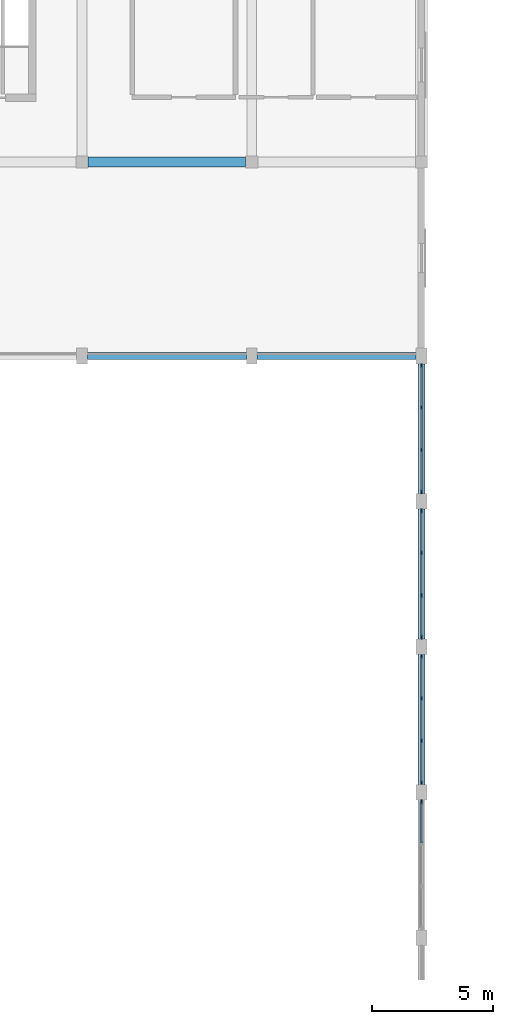
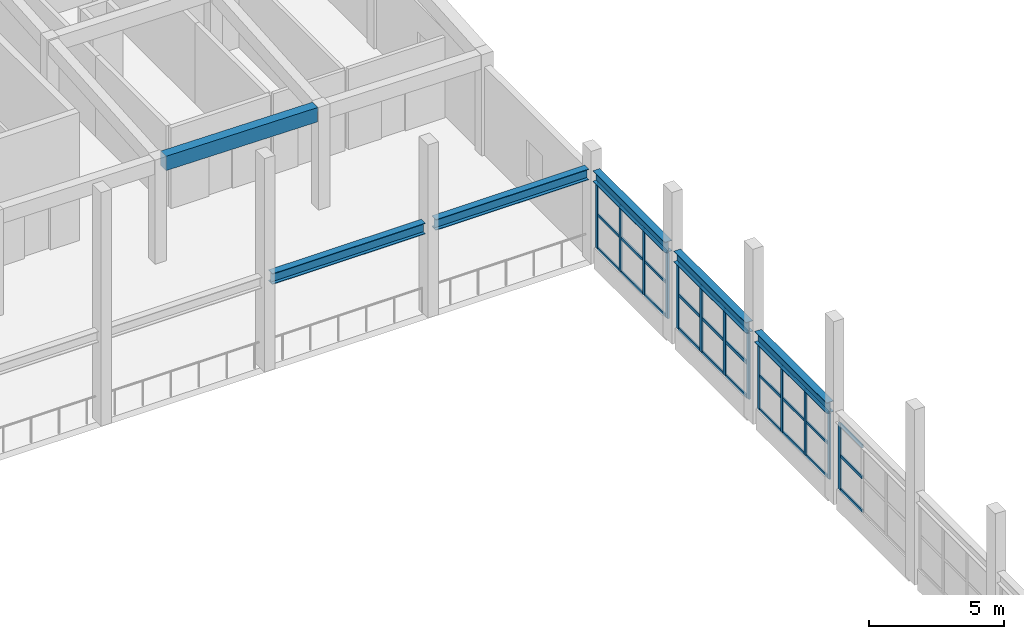
# One storey, part 32 of 89: 43 members, 6 beams, 4 elements without a shape of their own.
"""IFC4 building model written with IfcOpenShell, lengths in metres."""

from ifc_helpers import new_model, si_unit, direction, frame, origin, origin_2d, place, context, subcontext, project, spatial, rectangle, i_section, extrude, material, layer, layer_set, material_profile, profile_set, type_object, element, aggregate, save


model = new_model("IFC4")

# Units and contexts
model_context = context("Model", 3, precision=1e-05, world=origin(), true_north=direction((0.0, 1.0)))
body_context = subcontext(model_context, "Body", "Model", "MODEL_VIEW")
ifc_project = project(units=[si_unit("LENGTHUNIT", "METRE"), si_unit("AREAUNIT", "SQUARE_METRE"), si_unit("VOLUMEUNIT", "CUBIC_METRE"), si_unit("PLANEANGLEUNIT", "RADIAN"), si_unit("MASSUNIT", "GRAM", prefix="KILO")], contexts=[model_context])

# Site, building, storey
site_placement = place(None, origin())
site = spatial("IfcSite", under=ifc_project, at=site_placement, CompositionType="ELEMENT")
building_placement = place(site_placement, origin())
building = spatial("IfcBuilding", under=site, at=building_placement, Name="Tonlespit Floodbar School", CompositionType="ELEMENT")
storey_placement = place(building_placement, frame((0.0, 0.0, 4.5)))
storey = spatial("IfcBuildingStorey", under=building, at=storey_placement, Name="L01", CompositionType="ELEMENT", Elevation=4.5)

# Beam
ifc_material_1 = material(Name="Concrete C40/50", Category="concrete")
ifc_material_profile_1 = material_profile(ifc_material_1, rectangle(XDim=0.39990234375, YDim=0.64990234375, at=origin_2d()), Name="RC 400x650")
ifc_profile_set_1 = profile_set([ifc_material_profile_1], Name="Concrete C40/50")
beam_type_1 = type_object("IfcBeamType", Name="Beam_RC_400x650", PredefinedType="BEAM", material=ifc_profile_set_1)
beam_placement = place(storey_placement, frame((162.25, 64.0, 4.364501953125), z_axis=(0.999955563291, 0.0, -0.009427165204), x_axis=(0.0, 1.0, 0.0)))
element("IfcBeam", 1, at=beam_placement, inside=storey, type_object=beam_type_1, Name="L01 girder 0583", PredefinedType="BEAM", context=body_context, shape_type="SweptSolid", body=[
    extrude(rectangle(XDim=0.39990234375, YDim=0.64990234375, at=origin_2d()), origin(), (0.0, 0.0, 1.0), 6.500244140625),
])

# Curtain wall, members
ifc_material_2 = material(Name="Anodised Aluminium", Category="aluminium")
ifc_layer = layer(ifc_material_2, 0.159912109375)
ifc_layer_set = layer_set([ifc_layer], Name="Anodised Aluminium")
curtain_wall_type = type_object("IfcCurtainWallType", Name="CurtainWall_5250x3000", PredefinedType="NOTDEFINED", material=ifc_layer_set)
curtain_wall_1_placement = place(storey_placement, origin())
curtain_wall_1 = element("IfcCurtainWall", 2, at=curtain_wall_1_placement, inside=storey, type_object=curtain_wall_type, Name="L01 unitised curtain wall 0324", PredefinedType="NOTDEFINED")
ifc_material_profile_2 = material_profile(ifc_material_2, rectangle(XDim=0.06494140625, YDim=0.14990234375, at=origin_2d()), Name="ALU M65x150")
ifc_profile_set_2 = profile_set([ifc_material_profile_2], Name="Anodised Aluminium")
member_type_1 = type_object("IfcMemberType", Name="CW_Mullion_65x150", PredefinedType="MULLION", material=ifc_profile_set_2)
member_1_placement = place(storey_placement, frame((176.0, 55.6025390625, 0.68994140625), z_axis=(0.0, 0.0, 1.0), x_axis=(1.0, 0.0, 0.0)))
member_1 = element("IfcMember", 3, at=member_1_placement, type_object=member_type_1, Name="CW-50 mullion 1", PredefinedType="MULLION", context=body_context, shape_type="SweptSolid", body=[
    extrude(rectangle(XDim=0.06494140625, YDim=0.14990234375, at=origin_2d()), origin(), (0.0, 0.0, 1.0), 2.989990234375),
])
member_2_placement = place(storey_placement, frame((176.0, 53.87841796875, 0.68994140625), z_axis=(0.0, 0.0, 1.0), x_axis=(1.0, 0.0, 0.0)))
member_2 = element("IfcMember", 4, at=member_2_placement, type_object=member_type_1, Name="CW-50 mullion 2", PredefinedType="MULLION", context=body_context, shape_type="SweptSolid", body=[
    extrude(rectangle(XDim=0.06494140625, YDim=0.14990234375, at=origin_2d()), origin(), (0.0, 0.0, 1.0), 2.989990234375),
])
member_3_placement = place(storey_placement, frame((176.0, 52.12158203125, 0.68994140625), z_axis=(0.0, 0.0, 1.0), x_axis=(1.0, 0.0, 0.0)))
member_3 = element("IfcMember", 5, at=member_3_placement, type_object=member_type_1, Name="CW-50 mullion 3", PredefinedType="MULLION", context=body_context, shape_type="SweptSolid", body=[
    extrude(rectangle(XDim=0.06494140625, YDim=0.14990234375, at=origin_2d()), origin(), (0.0, 0.0, 1.0), 2.989990234375),
])
member_4_placement = place(storey_placement, frame((176.0, 50.3974609375, 0.68994140625), z_axis=(0.0, 0.0, 1.0), x_axis=(1.0, 0.0, 0.0)))
member_4 = element("IfcMember", 6, at=member_4_placement, type_object=member_type_1, Name="CW-50 mullion 4", PredefinedType="MULLION", context=body_context, shape_type="SweptSolid", body=[
    extrude(rectangle(XDim=0.06494140625, YDim=0.14990234375, at=origin_2d()), origin(), (0.0, 0.0, 1.0), 2.989990234375),
])

curtain_wall_2_placement = place(storey_placement, origin())
curtain_wall_2 = element("IfcCurtainWall", 7, at=curtain_wall_2_placement, inside=storey, type_object=curtain_wall_type, Name="L01 unitised curtain wall 0326", PredefinedType="NOTDEFINED")
member_5_placement = place(storey_placement, frame((176.0, 43.6025390625, 0.68994140625), z_axis=(0.0, 0.0, 1.0), x_axis=(1.0, 0.0, 0.0)))
member_5 = element("IfcMember", 8, at=member_5_placement, type_object=member_type_1, Name="CW-50 mullion 1", PredefinedType="MULLION", context=body_context, shape_type="SweptSolid", body=[
    extrude(rectangle(XDim=0.06494140625, YDim=0.14990234375, at=origin_2d()), origin(), (0.0, 0.0, 1.0), 2.989990234375),
])
member_6_placement = place(storey_placement, frame((176.0, 41.87841796875, 0.68994140625), z_axis=(0.0, 0.0, 1.0), x_axis=(1.0, 0.0, 0.0)))
member_6 = element("IfcMember", 9, at=member_6_placement, type_object=member_type_1, Name="CW-50 mullion 2", PredefinedType="MULLION", context=body_context, shape_type="SweptSolid", body=[
    extrude(rectangle(XDim=0.06494140625, YDim=0.14990234375, at=origin_2d()), origin(), (0.0, 0.0, 1.0), 2.989990234375),
])
member_7_placement = place(storey_placement, frame((176.0, 40.12158203125, 0.68994140625), z_axis=(0.0, 0.0, 1.0), x_axis=(1.0, 0.0, 0.0)))
member_7 = element("IfcMember", 10, at=member_7_placement, type_object=member_type_1, Name="CW-50 mullion 3", PredefinedType="MULLION", context=body_context, shape_type="SweptSolid", body=[
    extrude(rectangle(XDim=0.06494140625, YDim=0.14990234375, at=origin_2d()), origin(), (0.0, 0.0, 1.0), 2.989990234375),
])
member_8_placement = place(storey_placement, frame((176.0, 38.3974609375, 0.68994140625), z_axis=(0.0, 0.0, 1.0), x_axis=(1.0, 0.0, 0.0)))
member_8 = element("IfcMember", 11, at=member_8_placement, type_object=member_type_1, Name="CW-50 mullion 4", PredefinedType="MULLION", context=body_context, shape_type="SweptSolid", body=[
    extrude(rectangle(XDim=0.06494140625, YDim=0.14990234375, at=origin_2d()), origin(), (0.0, 0.0, 1.0), 2.989990234375),
])

curtain_wall_3_placement = place(storey_placement, origin())
curtain_wall_3 = element("IfcCurtainWall", 12, at=curtain_wall_3_placement, inside=storey, type_object=curtain_wall_type, Name="L01 unitised curtain wall 0325", PredefinedType="NOTDEFINED")
ifc_material_profile_3 = material_profile(ifc_material_2, rectangle(XDim=0.06494140625, YDim=0.179931640625, at=origin_2d()), Name="ALU M65x180")
ifc_profile_set_3 = profile_set([ifc_material_profile_3], Name="Anodised Aluminium")
member_type_2 = type_object("IfcMemberType", Name="CW_Mullion_65x180", PredefinedType="MULLION", material=ifc_profile_set_3)
member_9_placement = place(storey_placement, frame((176.0, 49.6025390625, 0.68994140625), z_axis=(0.0, 0.0, 1.0), x_axis=(1.0, 0.0, 0.0)))
member_9 = element("IfcMember", 13, at=member_9_placement, type_object=member_type_2, Name="CW-50 mullion 1", PredefinedType="MULLION", context=body_context, shape_type="SweptSolid", body=[
    extrude(rectangle(XDim=0.06494140625, YDim=0.179931640625, at=origin_2d()), origin(), (0.0, 0.0, 1.0), 2.989990234375),
])
member_10_placement = place(storey_placement, frame((176.0, 47.87841796875, 0.68994140625), z_axis=(0.0, 0.0, 1.0), x_axis=(1.0, 0.0, 0.0)))
member_10 = element("IfcMember", 14, at=member_10_placement, type_object=member_type_2, Name="CW-50 mullion 2", PredefinedType="MULLION", context=body_context, shape_type="SweptSolid", body=[
    extrude(rectangle(XDim=0.06494140625, YDim=0.179931640625, at=origin_2d()), origin(), (0.0, 0.0, 1.0), 2.989990234375),
])
member_11_placement = place(storey_placement, frame((176.0, 46.12158203125, 0.68994140625), z_axis=(0.0, 0.0, 1.0), x_axis=(1.0, 0.0, 0.0)))
member_11 = element("IfcMember", 15, at=member_11_placement, type_object=member_type_2, Name="CW-50 mullion 3", PredefinedType="MULLION", context=body_context, shape_type="SweptSolid", body=[
    extrude(rectangle(XDim=0.06494140625, YDim=0.179931640625, at=origin_2d()), origin(), (0.0, 0.0, 1.0), 2.989990234375),
])
member_12_placement = place(storey_placement, frame((176.0, 44.3974609375, 0.68994140625), z_axis=(0.0, 0.0, 1.0), x_axis=(1.0, 0.0, 0.0)))
member_12 = element("IfcMember", 16, at=member_12_placement, type_object=member_type_2, Name="CW-50 mullion 4", PredefinedType="MULLION", context=body_context, shape_type="SweptSolid", body=[
    extrude(rectangle(XDim=0.06494140625, YDim=0.179931640625, at=origin_2d()), origin(), (0.0, 0.0, 1.0), 2.989990234375),
])

# Curtain wall, member
curtain_wall_4_placement = place(storey_placement, origin())
curtain_wall_4 = element("IfcCurtainWall", 17, at=curtain_wall_4_placement, inside=storey, type_object=curtain_wall_type, Name="L01 unitised curtain wall 0327", PredefinedType="NOTDEFINED")
member_13_placement = place(storey_placement, frame((176.0, 37.6025390625, 0.68994140625), z_axis=(0.0, 0.0, 1.0), x_axis=(1.0, 0.0, 0.0)))
member_13 = element("IfcMember", 18, at=member_13_placement, type_object=member_type_2, Name="CW-50 mullion 1", PredefinedType="MULLION", context=body_context, shape_type="SweptSolid", body=[
    extrude(rectangle(XDim=0.06494140625, YDim=0.179931640625, at=origin_2d()), origin(), (0.0, 0.0, 1.0), 2.989990234375),
])

# Member
ifc_material_profile_4 = material_profile(ifc_material_2, rectangle(XDim=0.06494140625, YDim=0.1201171875, at=origin_2d()), Name="ALU T65x120")
ifc_profile_set_4 = profile_set([ifc_material_profile_4], Name="Anodised Aluminium")
member_type_3 = type_object("IfcMemberType", Name="CW_Transom_65x120", PredefinedType="USERDEFINED", material=ifc_profile_set_4)
member_14_placement = place(storey_placement, frame((176.0, 55.570068359375, 0.722412109375), z_axis=(0.0, -1.0, 0.0), x_axis=(1.0, 0.0, 0.0)))
member_14 = element("IfcMember", 19, at=member_14_placement, type_object=member_type_3, Name="CW-50 transom 1.1", ObjectType="TRANSOM", PredefinedType="USERDEFINED", context=body_context, shape_type="SweptSolid", body=[
    extrude(rectangle(XDim=0.06494140625, YDim=0.1201171875, at=origin_2d()), origin(), (0.0, 0.0, 1.0), 1.6591796875),
])

member_15_placement = place(storey_placement, frame((176.0, 55.570068359375, 2.244873046875), z_axis=(0.0, -1.0, 0.0), x_axis=(1.0, 0.0, 0.0)))
member_15 = element("IfcMember", 20, at=member_15_placement, type_object=member_type_3, Name="CW-50 transom 1.2", ObjectType="TRANSOM", PredefinedType="USERDEFINED", context=body_context, shape_type="SweptSolid", body=[
    extrude(rectangle(XDim=0.06494140625, YDim=0.1201171875, at=origin_2d()), origin(), (0.0, 0.0, 1.0), 1.6591796875),
])

member_16_placement = place(storey_placement, frame((176.0, 55.570068359375, 3.6474609375), z_axis=(0.0, -1.0, 0.0), x_axis=(1.0, 0.0, 0.0)))
member_16 = element("IfcMember", 21, at=member_16_placement, type_object=member_type_3, Name="CW-50 transom 1.3", ObjectType="TRANSOM", PredefinedType="USERDEFINED", context=body_context, shape_type="SweptSolid", body=[
    extrude(rectangle(XDim=0.06494140625, YDim=0.1201171875, at=origin_2d()), origin(), (0.0, 0.0, 1.0), 1.6591796875),
])

member_17_placement = place(storey_placement, frame((176.0, 53.845947265625, 0.722412109375), z_axis=(0.0, -1.0, 0.0), x_axis=(1.0, 0.0, 0.0)))
member_17 = element("IfcMember", 22, at=member_17_placement, type_object=member_type_3, Name="CW-50 transom 2.1", ObjectType="TRANSOM", PredefinedType="USERDEFINED", context=body_context, shape_type="SweptSolid", body=[
    extrude(rectangle(XDim=0.06494140625, YDim=0.1201171875, at=origin_2d()), origin(), (0.0, 0.0, 1.0), 1.69189453125),
])

member_18_placement = place(storey_placement, frame((176.0, 53.845947265625, 2.244873046875), z_axis=(0.0, -1.0, 0.0), x_axis=(1.0, 0.0, 0.0)))
member_18 = element("IfcMember", 23, at=member_18_placement, type_object=member_type_3, Name="CW-50 transom 2.2", ObjectType="TRANSOM", PredefinedType="USERDEFINED", context=body_context, shape_type="SweptSolid", body=[
    extrude(rectangle(XDim=0.06494140625, YDim=0.1201171875, at=origin_2d()), origin(), (0.0, 0.0, 1.0), 1.69189453125),
])

member_19_placement = place(storey_placement, frame((176.0, 53.845947265625, 3.6474609375), z_axis=(0.0, -1.0, 0.0), x_axis=(1.0, 0.0, 0.0)))
member_19 = element("IfcMember", 24, at=member_19_placement, type_object=member_type_3, Name="CW-50 transom 2.3", ObjectType="TRANSOM", PredefinedType="USERDEFINED", context=body_context, shape_type="SweptSolid", body=[
    extrude(rectangle(XDim=0.06494140625, YDim=0.1201171875, at=origin_2d()), origin(), (0.0, 0.0, 1.0), 1.69189453125),
])

member_20_placement = place(storey_placement, frame((176.0, 52.089111328125, 0.722412109375), z_axis=(0.0, -1.0, 0.0), x_axis=(1.0, 0.0, 0.0)))
member_20 = element("IfcMember", 25, at=member_20_placement, type_object=member_type_3, Name="CW-50 transom 3.1", ObjectType="TRANSOM", PredefinedType="USERDEFINED", context=body_context, shape_type="SweptSolid", body=[
    extrude(rectangle(XDim=0.06494140625, YDim=0.1201171875, at=origin_2d()), origin(), (0.0, 0.0, 1.0), 1.6591796875),
])

member_21_placement = place(storey_placement, frame((176.0, 52.089111328125, 2.244873046875), z_axis=(0.0, -1.0, 0.0), x_axis=(1.0, 0.0, 0.0)))
member_21 = element("IfcMember", 26, at=member_21_placement, type_object=member_type_3, Name="CW-50 transom 3.2", ObjectType="TRANSOM", PredefinedType="USERDEFINED", context=body_context, shape_type="SweptSolid", body=[
    extrude(rectangle(XDim=0.06494140625, YDim=0.1201171875, at=origin_2d()), origin(), (0.0, 0.0, 1.0), 1.6591796875),
])

member_22_placement = place(storey_placement, frame((176.0, 52.089111328125, 3.6474609375), z_axis=(0.0, -1.0, 0.0), x_axis=(1.0, 0.0, 0.0)))
member_22 = element("IfcMember", 27, at=member_22_placement, type_object=member_type_3, Name="CW-50 transom 3.3", ObjectType="TRANSOM", PredefinedType="USERDEFINED", context=body_context, shape_type="SweptSolid", body=[
    extrude(rectangle(XDim=0.06494140625, YDim=0.1201171875, at=origin_2d()), origin(), (0.0, 0.0, 1.0), 1.6591796875),
])

aggregate(curtain_wall_1, [member_1, member_2, member_3, member_4, member_14, member_15, member_16, member_17, member_18, member_19, member_20, member_21, member_22])

member_23_placement = place(storey_placement, frame((176.0, 43.570068359375, 0.722412109375), z_axis=(0.0, -1.0, 0.0), x_axis=(1.0, 0.0, 0.0)))
member_23 = element("IfcMember", 28, at=member_23_placement, type_object=member_type_3, Name="CW-50 transom 1.1", ObjectType="TRANSOM", PredefinedType="USERDEFINED", context=body_context, shape_type="SweptSolid", body=[
    extrude(rectangle(XDim=0.06494140625, YDim=0.1201171875, at=origin_2d()), origin(), (0.0, 0.0, 1.0), 1.6591796875),
])

member_24_placement = place(storey_placement, frame((176.0, 43.570068359375, 2.244873046875), z_axis=(0.0, -1.0, 0.0), x_axis=(1.0, 0.0, 0.0)))
member_24 = element("IfcMember", 29, at=member_24_placement, type_object=member_type_3, Name="CW-50 transom 1.2", ObjectType="TRANSOM", PredefinedType="USERDEFINED", context=body_context, shape_type="SweptSolid", body=[
    extrude(rectangle(XDim=0.06494140625, YDim=0.1201171875, at=origin_2d()), origin(), (0.0, 0.0, 1.0), 1.6591796875),
])

member_25_placement = place(storey_placement, frame((176.0, 43.570068359375, 3.6474609375), z_axis=(0.0, -1.0, 0.0), x_axis=(1.0, 0.0, 0.0)))
member_25 = element("IfcMember", 30, at=member_25_placement, type_object=member_type_3, Name="CW-50 transom 1.3", ObjectType="TRANSOM", PredefinedType="USERDEFINED", context=body_context, shape_type="SweptSolid", body=[
    extrude(rectangle(XDim=0.06494140625, YDim=0.1201171875, at=origin_2d()), origin(), (0.0, 0.0, 1.0), 1.6591796875),
])

member_26_placement = place(storey_placement, frame((176.0, 41.845947265625, 0.722412109375), z_axis=(0.0, -1.0, 0.0), x_axis=(1.0, 0.0, 0.0)))
member_26 = element("IfcMember", 31, at=member_26_placement, type_object=member_type_3, Name="CW-50 transom 2.1", ObjectType="TRANSOM", PredefinedType="USERDEFINED", context=body_context, shape_type="SweptSolid", body=[
    extrude(rectangle(XDim=0.06494140625, YDim=0.1201171875, at=origin_2d()), origin(), (0.0, 0.0, 1.0), 1.69189453125),
])

member_27_placement = place(storey_placement, frame((176.0, 41.845947265625, 2.244873046875), z_axis=(0.0, -1.0, 0.0), x_axis=(1.0, 0.0, 0.0)))
member_27 = element("IfcMember", 32, at=member_27_placement, type_object=member_type_3, Name="CW-50 transom 2.2", ObjectType="TRANSOM", PredefinedType="USERDEFINED", context=body_context, shape_type="SweptSolid", body=[
    extrude(rectangle(XDim=0.06494140625, YDim=0.1201171875, at=origin_2d()), origin(), (0.0, 0.0, 1.0), 1.69189453125),
])

member_28_placement = place(storey_placement, frame((176.0, 41.845947265625, 3.6474609375), z_axis=(0.0, -1.0, 0.0), x_axis=(1.0, 0.0, 0.0)))
member_28 = element("IfcMember", 33, at=member_28_placement, type_object=member_type_3, Name="CW-50 transom 2.3", ObjectType="TRANSOM", PredefinedType="USERDEFINED", context=body_context, shape_type="SweptSolid", body=[
    extrude(rectangle(XDim=0.06494140625, YDim=0.1201171875, at=origin_2d()), origin(), (0.0, 0.0, 1.0), 1.69189453125),
])

member_29_placement = place(storey_placement, frame((176.0, 40.089111328125, 0.722412109375), z_axis=(0.0, -1.0, 0.0), x_axis=(1.0, 0.0, 0.0)))
member_29 = element("IfcMember", 34, at=member_29_placement, type_object=member_type_3, Name="CW-50 transom 3.1", ObjectType="TRANSOM", PredefinedType="USERDEFINED", context=body_context, shape_type="SweptSolid", body=[
    extrude(rectangle(XDim=0.06494140625, YDim=0.1201171875, at=origin_2d()), origin(), (0.0, 0.0, 1.0), 1.6591796875),
])

member_30_placement = place(storey_placement, frame((176.0, 40.089111328125, 2.244873046875), z_axis=(0.0, -1.0, 0.0), x_axis=(1.0, 0.0, 0.0)))
member_30 = element("IfcMember", 35, at=member_30_placement, type_object=member_type_3, Name="CW-50 transom 3.2", ObjectType="TRANSOM", PredefinedType="USERDEFINED", context=body_context, shape_type="SweptSolid", body=[
    extrude(rectangle(XDim=0.06494140625, YDim=0.1201171875, at=origin_2d()), origin(), (0.0, 0.0, 1.0), 1.6591796875),
])

member_31_placement = place(storey_placement, frame((176.0, 40.089111328125, 3.6474609375), z_axis=(0.0, -1.0, 0.0), x_axis=(1.0, 0.0, 0.0)))
member_31 = element("IfcMember", 36, at=member_31_placement, type_object=member_type_3, Name="CW-50 transom 3.3", ObjectType="TRANSOM", PredefinedType="USERDEFINED", context=body_context, shape_type="SweptSolid", body=[
    extrude(rectangle(XDim=0.06494140625, YDim=0.1201171875, at=origin_2d()), origin(), (0.0, 0.0, 1.0), 1.6591796875),
])

aggregate(curtain_wall_2, [member_5, member_6, member_7, member_8, member_23, member_24, member_25, member_26, member_27, member_28, member_29, member_30, member_31])

ifc_material_profile_5 = material_profile(ifc_material_2, rectangle(XDim=0.06494140625, YDim=0.139892578125, at=origin_2d()), Name="ALU T65x140")
ifc_profile_set_5 = profile_set([ifc_material_profile_5], Name="Anodised Aluminium")
member_type_4 = type_object("IfcMemberType", Name="CW_Transom_65x140", PredefinedType="USERDEFINED", material=ifc_profile_set_5)
member_32_placement = place(storey_placement, frame((176.0, 49.570068359375, 0.722412109375), z_axis=(0.0, -1.0, 0.0), x_axis=(1.0, 0.0, 0.0)))
member_32 = element("IfcMember", 37, at=member_32_placement, type_object=member_type_4, Name="CW-50 transom 1.1", ObjectType="TRANSOM", PredefinedType="USERDEFINED", context=body_context, shape_type="SweptSolid", body=[
    extrude(rectangle(XDim=0.06494140625, YDim=0.139892578125, at=origin_2d()), origin(), (0.0, 0.0, 1.0), 1.6591796875),
])

member_33_placement = place(storey_placement, frame((176.0, 49.570068359375, 2.244873046875), z_axis=(0.0, -1.0, 0.0), x_axis=(1.0, 0.0, 0.0)))
member_33 = element("IfcMember", 38, at=member_33_placement, type_object=member_type_4, Name="CW-50 transom 1.2", ObjectType="TRANSOM", PredefinedType="USERDEFINED", context=body_context, shape_type="SweptSolid", body=[
    extrude(rectangle(XDim=0.06494140625, YDim=0.139892578125, at=origin_2d()), origin(), (0.0, 0.0, 1.0), 1.6591796875),
])

member_34_placement = place(storey_placement, frame((176.0, 49.570068359375, 3.6474609375), z_axis=(0.0, -1.0, 0.0), x_axis=(1.0, 0.0, 0.0)))
member_34 = element("IfcMember", 39, at=member_34_placement, type_object=member_type_4, Name="CW-50 transom 1.3", ObjectType="TRANSOM", PredefinedType="USERDEFINED", context=body_context, shape_type="SweptSolid", body=[
    extrude(rectangle(XDim=0.06494140625, YDim=0.139892578125, at=origin_2d()), origin(), (0.0, 0.0, 1.0), 1.6591796875),
])

member_35_placement = place(storey_placement, frame((176.0, 47.845947265625, 0.722412109375), z_axis=(0.0, -1.0, 0.0), x_axis=(1.0, 0.0, 0.0)))
member_35 = element("IfcMember", 40, at=member_35_placement, type_object=member_type_4, Name="CW-50 transom 2.1", ObjectType="TRANSOM", PredefinedType="USERDEFINED", context=body_context, shape_type="SweptSolid", body=[
    extrude(rectangle(XDim=0.06494140625, YDim=0.139892578125, at=origin_2d()), origin(), (0.0, 0.0, 1.0), 1.69189453125),
])

member_36_placement = place(storey_placement, frame((176.0, 47.845947265625, 2.244873046875), z_axis=(0.0, -1.0, 0.0), x_axis=(1.0, 0.0, 0.0)))
member_36 = element("IfcMember", 41, at=member_36_placement, type_object=member_type_4, Name="CW-50 transom 2.2", ObjectType="TRANSOM", PredefinedType="USERDEFINED", context=body_context, shape_type="SweptSolid", body=[
    extrude(rectangle(XDim=0.06494140625, YDim=0.139892578125, at=origin_2d()), origin(), (0.0, 0.0, 1.0), 1.69189453125),
])

member_37_placement = place(storey_placement, frame((176.0, 47.845947265625, 3.6474609375), z_axis=(0.0, -1.0, 0.0), x_axis=(1.0, 0.0, 0.0)))
member_37 = element("IfcMember", 42, at=member_37_placement, type_object=member_type_4, Name="CW-50 transom 2.3", ObjectType="TRANSOM", PredefinedType="USERDEFINED", context=body_context, shape_type="SweptSolid", body=[
    extrude(rectangle(XDim=0.06494140625, YDim=0.139892578125, at=origin_2d()), origin(), (0.0, 0.0, 1.0), 1.69189453125),
])

member_38_placement = place(storey_placement, frame((176.0, 46.089111328125, 0.722412109375), z_axis=(0.0, -1.0, 0.0), x_axis=(1.0, 0.0, 0.0)))
member_38 = element("IfcMember", 43, at=member_38_placement, type_object=member_type_4, Name="CW-50 transom 3.1", ObjectType="TRANSOM", PredefinedType="USERDEFINED", context=body_context, shape_type="SweptSolid", body=[
    extrude(rectangle(XDim=0.06494140625, YDim=0.139892578125, at=origin_2d()), origin(), (0.0, 0.0, 1.0), 1.6591796875),
])

member_39_placement = place(storey_placement, frame((176.0, 46.089111328125, 2.244873046875), z_axis=(0.0, -1.0, 0.0), x_axis=(1.0, 0.0, 0.0)))
member_39 = element("IfcMember", 44, at=member_39_placement, type_object=member_type_4, Name="CW-50 transom 3.2", ObjectType="TRANSOM", PredefinedType="USERDEFINED", context=body_context, shape_type="SweptSolid", body=[
    extrude(rectangle(XDim=0.06494140625, YDim=0.139892578125, at=origin_2d()), origin(), (0.0, 0.0, 1.0), 1.6591796875),
])

member_40_placement = place(storey_placement, frame((176.0, 46.089111328125, 3.6474609375), z_axis=(0.0, -1.0, 0.0), x_axis=(1.0, 0.0, 0.0)))
member_40 = element("IfcMember", 45, at=member_40_placement, type_object=member_type_4, Name="CW-50 transom 3.3", ObjectType="TRANSOM", PredefinedType="USERDEFINED", context=body_context, shape_type="SweptSolid", body=[
    extrude(rectangle(XDim=0.06494140625, YDim=0.139892578125, at=origin_2d()), origin(), (0.0, 0.0, 1.0), 1.6591796875),
])

aggregate(curtain_wall_3, [member_9, member_10, member_11, member_12, member_32, member_33, member_34, member_35, member_36, member_37, member_38, member_39, member_40])

member_41_placement = place(storey_placement, frame((176.0, 37.570068359375, 0.722412109375), z_axis=(0.0, -1.0, 0.0), x_axis=(1.0, 0.0, 0.0)))
member_41 = element("IfcMember", 46, at=member_41_placement, type_object=member_type_4, Name="CW-50 transom 1.1", ObjectType="TRANSOM", PredefinedType="USERDEFINED", context=body_context, shape_type="SweptSolid", body=[
    extrude(rectangle(XDim=0.06494140625, YDim=0.139892578125, at=origin_2d()), origin(), (0.0, 0.0, 1.0), 1.6591796875),
])

member_42_placement = place(storey_placement, frame((176.0, 37.570068359375, 2.244873046875), z_axis=(0.0, -1.0, 0.0), x_axis=(1.0, 0.0, 0.0)))
member_42 = element("IfcMember", 47, at=member_42_placement, type_object=member_type_4, Name="CW-50 transom 1.2", ObjectType="TRANSOM", PredefinedType="USERDEFINED", context=body_context, shape_type="SweptSolid", body=[
    extrude(rectangle(XDim=0.06494140625, YDim=0.139892578125, at=origin_2d()), origin(), (0.0, 0.0, 1.0), 1.6591796875),
])

member_43_placement = place(storey_placement, frame((176.0, 37.570068359375, 3.6474609375), z_axis=(0.0, -1.0, 0.0), x_axis=(1.0, 0.0, 0.0)))
member_43 = element("IfcMember", 48, at=member_43_placement, type_object=member_type_4, Name="CW-50 transom 1.3", ObjectType="TRANSOM", PredefinedType="USERDEFINED", context=body_context, shape_type="SweptSolid", body=[
    extrude(rectangle(XDim=0.06494140625, YDim=0.139892578125, at=origin_2d()), origin(), (0.0, 0.0, 1.0), 1.6591796875),
])

aggregate(curtain_wall_4, [member_13, member_41, member_42, member_43])

# Beams
ifc_material_3 = material(Name="Steel S355", Category="steel")
ifc_material_profile_6 = material_profile(ifc_material_3, i_section(OverallWidth=0.300048828125, OverallDepth=0.489990234375, WebThickness=0.011962890625, FlangeThickness=0.02294921875, at=origin_2d()), Name="HEA 500")
ifc_profile_set_6 = profile_set([ifc_material_profile_6], Name="Steel S355")
beam_type_2 = type_object("IfcBeamType", Name="RingBeam_STL_HEA500", PredefinedType="BEAM", material=ifc_profile_set_6)
for number, where, z_axis, x_axis, name in (
    (49, (162.22509765625, 56.0, 3.955078125), (1.0, 0.0, 0.0), (0.0, 1.0, 0.0), "Gridshell perimeter ring girder Y=56 bay 6"),
    (50, (169.22509765625, 56.0, 3.955078125), (1.0, 0.0, 0.0), (0.0, 1.0, 0.0), "Gridshell perimeter ring girder Y=56 bay 7"),
):
    element("IfcBeam", number, at=place(storey_placement, frame(where, z_axis=z_axis, x_axis=x_axis)), inside=storey, type_object=beam_type_2, Name=name, PredefinedType="BEAM", context=body_context, shape_type="SweptSolid", body=[
        extrude(i_section(OverallWidth=0.300048828125, OverallDepth=0.489990234375, WebThickness=0.011962890625, FlangeThickness=0.02294921875, at=origin_2d()), origin(), (0.0, 0.0, 1.0), 6.5498046875),
    ])
for number, where, z_axis, x_axis, name in (
    (51, (176.0, 38.324951171875, 3.955078125), (0.0, 1.0, 0.0), (-1.0, 0.0, 0.0), "Gridshell perimeter ring girder X=176 bay 4"),
    (52, (176.0, 44.324951171875, 3.955078125), (0.0, 1.0, 0.0), (-1.0, 0.0, 0.0), "Gridshell perimeter ring girder X=176 bay 5"),
    (53, (176.0, 50.324951171875, 3.955078125), (0.0, 1.0, 0.0), (-1.0, 0.0, 0.0), "Gridshell perimeter ring girder X=176 bay 6"),
):
    element("IfcBeam", number, at=place(storey_placement, frame(where, z_axis=z_axis, x_axis=x_axis)), inside=storey, type_object=beam_type_2, Name=name, PredefinedType="BEAM", context=body_context, shape_type="SweptSolid", body=[
        extrude(i_section(OverallWidth=0.300048828125, OverallDepth=0.489990234375, WebThickness=0.011962890625, FlangeThickness=0.02294921875, at=origin_2d()), origin(), (0.0, 0.0, 1.0), 5.35009765625),
    ])

save(model, "model.ifc")
